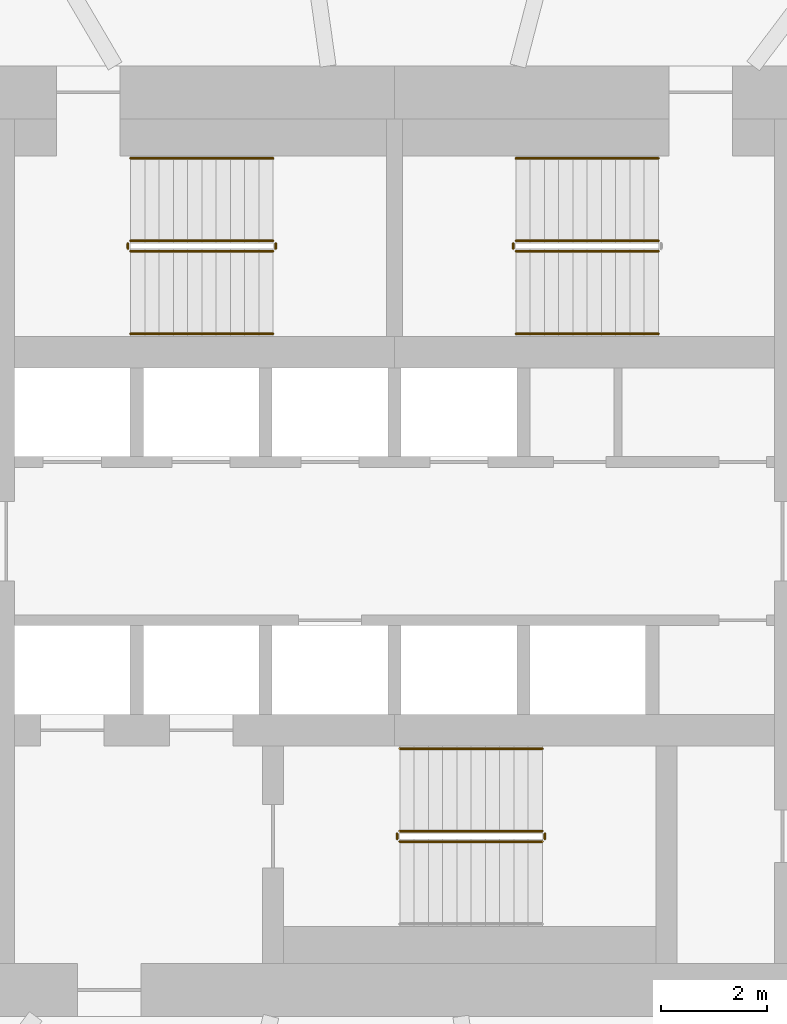
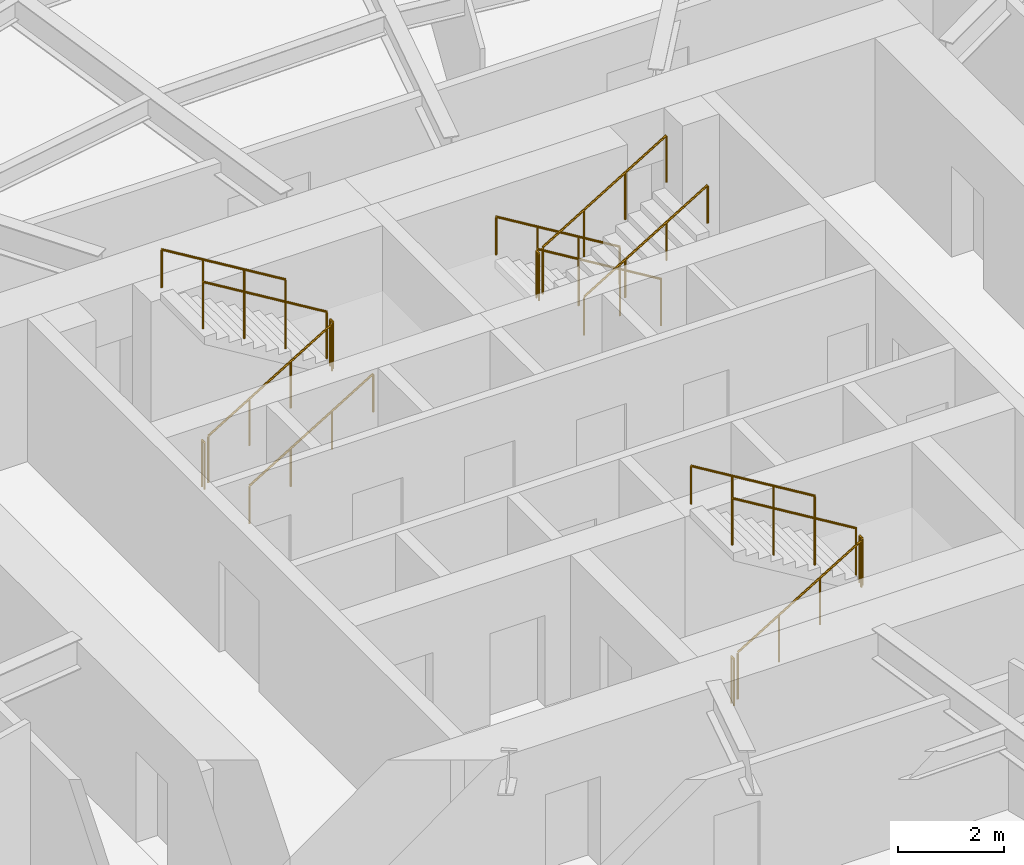
# One storey, part 13 of 17: 16 railings.
"""IFC4 building model written with IfcOpenShell, lengths in metres."""

from ifc_helpers import new_model, si_unit, direction, frame, origin, origin_2d, place, context, subcontext, project, spatial, circle, extrude, material, type_object, element, save


model = new_model("IFC4")

# Units and contexts
model_context = context("Model", 3, precision=1e-05, world=origin(), true_north=direction((0.0, 1.0)))
body_context = subcontext(model_context, "Body", "Model", "MODEL_VIEW")
ifc_project = project(units=[si_unit("LENGTHUNIT", "METRE"), si_unit("AREAUNIT", "SQUARE_METRE"), si_unit("VOLUMEUNIT", "CUBIC_METRE"), si_unit("PLANEANGLEUNIT", "RADIAN"), si_unit("MASSUNIT", "GRAM", prefix="KILO")], contexts=[model_context])

# Site, building, storey
site_placement = place(None, origin())
site = spatial("IfcSite", under=ifc_project, at=site_placement, CompositionType="ELEMENT")
building_placement = place(site_placement, origin())
building = spatial("IfcBuilding", under=site, at=building_placement, Name="Vermilion Reach Broadcast Tower", CompositionType="ELEMENT")
storey_placement = place(building_placement, frame((0.0, 0.0, 92.199951171875)))
storey = spatial("IfcBuildingStorey", under=building, at=storey_placement, Name="L20", CompositionType="ELEMENT", Elevation=92.199951171875)

# Railings
ifc_material_1 = material(Name="Stainless steel", Category="steel")
railing_type_1 = type_object("IfcRailingType", Name="Stair guard 1100", PredefinedType="GUARDRAIL", material=ifc_material_1)
railing_1_placement = place(storey_placement, frame((-11.0, 5.489990234375, 0.16357421875)))
element("IfcRailing", 1, at=railing_1_placement, inside=storey, type_object=railing_type_1, Name="L20 ST1 stair guard 1", PredefinedType="GUARDRAIL", context=body_context, shape_type="SweptSolid", body=[
    extrude(circle(Radius=0.02392578125, at=origin_2d()), frame((0.0, 0.0, 1.076171875), z_axis=(0.855178096276, 0.0, 0.518334277904), x_axis=(0.0, 1.0, 0.0)), (0.0, 0.0, 1.0), 3.1572265625),
    extrude(circle(Radius=0.02099609375, at=origin_2d()), origin(), (0.0, 0.0, 1.0), 1.052001953125),
    extrude(circle(Radius=0.02099609375, at=origin_2d()), frame((0.89990234375, 0.0, 0.54541015625)), (0.0, 0.0, 1.0), 1.052001953125),
    extrude(circle(Radius=0.02099609375, at=origin_2d()), frame((1.800048828125, 0.0, 1.091064453125)), (0.0, 0.0, 1.0), 1.052001953125),
    extrude(circle(Radius=0.02099609375, at=origin_2d()), frame((2.699951171875, 0.0, 1.636474609375)), (0.0, 0.0, 1.0), 1.052001953125),
])
railing_2_placement = place(storey_placement, frame((-8.25, 5.5400390625, 1.800048828125)))
element("IfcRailing", 2, at=railing_2_placement, inside=storey, type_object=railing_type_1, Name="L20 ST1 stair guard 2", PredefinedType="GUARDRAIL", context=body_context, shape_type="SweptSolid", body=[
    extrude(circle(Radius=0.02392578125, at=origin_2d()), frame((0.0, 0.0, 1.076171875), z_axis=(0.0, 1.0, 0.0), x_axis=(-1.0, 0.0, 0.0)), (0.0, 0.0, 1.0), 0.099853515625),
    extrude(circle(Radius=0.02099609375, at=origin_2d()), origin(), (0.0, 0.0, 1.0), 1.052001953125),
    extrude(circle(Radius=0.02099609375, at=origin_2d()), frame((0.0, 0.099853515625, 0.0)), (0.0, 0.0, 1.0), 1.052001953125),
])
railing_3_placement = place(storey_placement, frame((-8.300048828125, 5.68994140625, 1.963623046875)))
element("IfcRailing", 3, at=railing_3_placement, inside=storey, type_object=railing_type_1, Name="L20 ST1 stair guard 3", PredefinedType="GUARDRAIL", context=body_context, shape_type="SweptSolid", body=[
    extrude(circle(Radius=0.02392578125, at=origin_2d()), frame((0.0, 0.0, 1.076171875), z_axis=(-0.855178096276, 0.0, 0.518334277904), x_axis=(0.0, -1.0, 0.0)), (0.0, 0.0, 1.0), 3.1572265625),
    extrude(circle(Radius=0.02099609375, at=origin_2d()), origin(), (0.0, 0.0, 1.0), 1.052001953125),
    extrude(circle(Radius=0.02099609375, at=origin_2d()), frame((-0.89990234375, 0.0, 0.54541015625)), (0.0, 0.0, 1.0), 1.052001953125),
    extrude(circle(Radius=0.02099609375, at=origin_2d()), frame((-1.800048828125, 0.0, 1.091064453125)), (0.0, 0.0, 1.0), 1.052001953125),
    extrude(circle(Radius=0.02099609375, at=origin_2d()), frame((-2.699951171875, 0.0, 1.636474609375)), (0.0, 0.0, 1.0), 1.052001953125),
])
railing_4_placement = place(storey_placement, frame((-11.050048828125, 5.5400390625, 0.0)))
element("IfcRailing", 4, at=railing_4_placement, inside=storey, type_object=railing_type_1, Name="L20 ST1 stair guard 4", PredefinedType="GUARDRAIL", context=body_context, shape_type="SweptSolid", body=[
    extrude(circle(Radius=0.02392578125, at=origin_2d()), frame((0.0, 0.0, 1.076171875), z_axis=(0.0, 1.0, 0.0), x_axis=(-1.0, 0.0, 0.0)), (0.0, 0.0, 1.0), 0.099853515625),
    extrude(circle(Radius=0.02099609375, at=origin_2d()), origin(), (0.0, 0.0, 1.0), 1.052001953125),
    extrude(circle(Radius=0.02099609375, at=origin_2d()), frame((0.0, 0.099853515625, 0.0)), (0.0, 0.0, 1.0), 1.052001953125),
])
railing_5_placement = place(storey_placement, frame((-1.0, 5.68994140625, 0.16357421875)))
element("IfcRailing", 5, at=railing_5_placement, inside=storey, type_object=railing_type_1, Name="L20 ST2 stair guard 1", PredefinedType="GUARDRAIL", context=body_context, shape_type="SweptSolid", body=[
    extrude(circle(Radius=0.02392578125, at=origin_2d()), frame((0.0, 0.0, 1.076171875), z_axis=(-0.855178096276, 0.0, 0.518334277904), x_axis=(0.0, -1.0, 0.0)), (0.0, 0.0, 1.0), 3.1572265625),
    extrude(circle(Radius=0.02099609375, at=origin_2d()), origin(), (0.0, 0.0, 1.0), 1.052001953125),
    extrude(circle(Radius=0.02099609375, at=origin_2d()), frame((-0.89990234375, 0.0, 0.54541015625)), (0.0, 0.0, 1.0), 1.052001953125),
    extrude(circle(Radius=0.02099609375, at=origin_2d()), frame((-1.800048828125, 0.0, 1.091064453125)), (0.0, 0.0, 1.0), 1.052001953125),
    extrude(circle(Radius=0.02099609375, at=origin_2d()), frame((-2.699951171875, 0.0, 1.636474609375)), (0.0, 0.0, 1.0), 1.052001953125),
])
railing_6_placement = place(storey_placement, frame((-3.75, 5.639892578125, 1.800048828125)))
element("IfcRailing", 6, at=railing_6_placement, inside=storey, type_object=railing_type_1, Name="L20 ST2 stair guard 2", PredefinedType="GUARDRAIL", context=body_context, shape_type="SweptSolid", body=[
    extrude(circle(Radius=0.02392578125, at=origin_2d()), frame((0.0, 0.0, 1.076171875), z_axis=(0.0, -1.0, 0.0), x_axis=(1.0, 0.0, 0.0)), (0.0, 0.0, 1.0), 0.099853515625),
    extrude(circle(Radius=0.02099609375, at=origin_2d()), origin(), (0.0, 0.0, 1.0), 1.052001953125),
    extrude(circle(Radius=0.02099609375, at=origin_2d()), frame((0.0, -0.099853515625, 0.0)), (0.0, 0.0, 1.0), 1.052001953125),
])
for number, where, name in (
    (7, (-3.699951171875, 5.489990234375, 1.963623046875), "L20 ST2 stair guard 3"),
    (8, (-5.89990234375, -5.68994140625, 0.16357421875), "L20 ST3 stair guard 1"),
):
    element("IfcRailing", number, at=place(storey_placement, frame(where)), inside=storey, type_object=railing_type_1, Name=name, PredefinedType="GUARDRAIL", context=body_context, shape_type="SweptSolid", body=[
        extrude(circle(Radius=0.02392578125, at=origin_2d()), frame((0.0, 0.0, 1.076171875), z_axis=(0.855178096276, 0.0, 0.518334277904), x_axis=(0.0, 1.0, 0.0)), (0.0, 0.0, 1.0), 3.1572265625),
        extrude(circle(Radius=0.02099609375, at=origin_2d()), origin(), (0.0, 0.0, 1.0), 1.052001953125),
        extrude(circle(Radius=0.02099609375, at=origin_2d()), frame((0.89990234375, 0.0, 0.54541015625)), (0.0, 0.0, 1.0), 1.052001953125),
        extrude(circle(Radius=0.02099609375, at=origin_2d()), frame((1.800048828125, 0.0, 1.091064453125)), (0.0, 0.0, 1.0), 1.052001953125),
        extrude(circle(Radius=0.02099609375, at=origin_2d()), frame((2.699951171875, 0.0, 1.636474609375)), (0.0, 0.0, 1.0), 1.052001953125),
    ])
railing_7_placement = place(storey_placement, frame((-3.14990234375, -5.639892578125, 1.800048828125)))
element("IfcRailing", 9, at=railing_7_placement, inside=storey, type_object=railing_type_1, Name="L20 ST3 stair guard 2", PredefinedType="GUARDRAIL", context=body_context, shape_type="SweptSolid", body=[
    extrude(circle(Radius=0.02392578125, at=origin_2d()), frame((0.0, 0.0, 1.076171875), z_axis=(0.0, 1.0, 0.0), x_axis=(-1.0, 0.0, 0.0)), (0.0, 0.0, 1.0), 0.099853515625),
    extrude(circle(Radius=0.02099609375, at=origin_2d()), origin(), (0.0, 0.0, 1.0), 1.052001953125),
    extrude(circle(Radius=0.02099609375, at=origin_2d()), frame((0.0, 0.099853515625, 0.0)), (0.0, 0.0, 1.0), 1.052001953125),
])
railing_8_placement = place(storey_placement, frame((-3.199951171875, -5.489990234375, 1.963623046875)))
element("IfcRailing", 10, at=railing_8_placement, inside=storey, type_object=railing_type_1, Name="L20 ST3 stair guard 3", PredefinedType="GUARDRAIL", context=body_context, shape_type="SweptSolid", body=[
    extrude(circle(Radius=0.02392578125, at=origin_2d()), frame((0.0, 0.0, 1.076171875), z_axis=(-0.855178096276, 0.0, 0.518334277904), x_axis=(0.0, -1.0, 0.0)), (0.0, 0.0, 1.0), 3.1572265625),
    extrude(circle(Radius=0.02099609375, at=origin_2d()), origin(), (0.0, 0.0, 1.0), 1.052001953125),
    extrude(circle(Radius=0.02099609375, at=origin_2d()), frame((-0.89990234375, 0.0, 0.54541015625)), (0.0, 0.0, 1.0), 1.052001953125),
    extrude(circle(Radius=0.02099609375, at=origin_2d()), frame((-1.800048828125, 0.0, 1.091064453125)), (0.0, 0.0, 1.0), 1.052001953125),
    extrude(circle(Radius=0.02099609375, at=origin_2d()), frame((-2.699951171875, 0.0, 1.636474609375)), (0.0, 0.0, 1.0), 1.052001953125),
])
railing_9_placement = place(storey_placement, frame((-5.949951171875, -5.639892578125, 0.0)))
element("IfcRailing", 11, at=railing_9_placement, inside=storey, type_object=railing_type_1, Name="L20 ST3 stair guard 4", PredefinedType="GUARDRAIL", context=body_context, shape_type="SweptSolid", body=[
    extrude(circle(Radius=0.02392578125, at=origin_2d()), frame((0.0, 0.0, 1.076171875), z_axis=(0.0, 1.0, 0.0), x_axis=(-1.0, 0.0, 0.0)), (0.0, 0.0, 1.0), 0.099853515625),
    extrude(circle(Radius=0.02099609375, at=origin_2d()), origin(), (0.0, 0.0, 1.0), 1.052001953125),
    extrude(circle(Radius=0.02099609375, at=origin_2d()), frame((0.0, 0.099853515625, 0.0)), (0.0, 0.0, 1.0), 1.052001953125),
])
ifc_material_2 = material(Name="Stainless steel", Category="steel")
railing_type_2 = type_object("IfcRailingType", Name="Stair handrail", PredefinedType="HANDRAIL", material=ifc_material_2)
railing_10_placement = place(storey_placement, frame((-11.0, 3.929931640625, 0.16357421875)))
element("IfcRailing", 12, at=railing_10_placement, inside=storey, type_object=railing_type_2, Name="L20 ST1 stair handrail 1", PredefinedType="HANDRAIL", context=body_context, shape_type="SweptSolid", body=[
    extrude(circle(Radius=0.02392578125, at=origin_2d()), frame((0.0, 0.0, 0.8759765625), z_axis=(0.855178096276, 0.0, 0.518334277904), x_axis=(0.0, 1.0, 0.0)), (0.0, 0.0, 1.0), 3.1572265625),
    extrude(circle(Radius=0.02099609375, at=origin_2d()), origin(), (0.0, 0.0, 1.0), 0.851806640625),
    extrude(circle(Radius=0.02099609375, at=origin_2d()), frame((0.89990234375, 0.0, 0.54541015625)), (0.0, 0.0, 1.0), 0.851806640625),
    extrude(circle(Radius=0.02099609375, at=origin_2d()), frame((1.800048828125, 0.0, 1.091064453125)), (0.0, 0.0, 1.0), 0.851806640625),
    extrude(circle(Radius=0.02099609375, at=origin_2d()), frame((2.699951171875, 0.0, 1.636474609375)), (0.0, 0.0, 1.0), 0.851806640625),
])
for number, where, name in (
    (13, (-8.300048828125, 7.25, 1.963623046875), "L20 ST1 stair handrail 2"),
    (14, (-1.0, 7.25, 0.16357421875), "L20 ST2 stair handrail 1"),
):
    element("IfcRailing", number, at=place(storey_placement, frame(where)), inside=storey, type_object=railing_type_2, Name=name, PredefinedType="HANDRAIL", context=body_context, shape_type="SweptSolid", body=[
        extrude(circle(Radius=0.02392578125, at=origin_2d()), frame((0.0, 0.0, 0.8759765625), z_axis=(-0.855178096276, 0.0, 0.518334277904), x_axis=(0.0, -1.0, 0.0)), (0.0, 0.0, 1.0), 3.1572265625),
        extrude(circle(Radius=0.02099609375, at=origin_2d()), origin(), (0.0, 0.0, 1.0), 0.851806640625),
        extrude(circle(Radius=0.02099609375, at=origin_2d()), frame((-0.89990234375, 0.0, 0.54541015625)), (0.0, 0.0, 1.0), 0.851806640625),
        extrude(circle(Radius=0.02099609375, at=origin_2d()), frame((-1.800048828125, 0.0, 1.091064453125)), (0.0, 0.0, 1.0), 0.851806640625),
        extrude(circle(Radius=0.02099609375, at=origin_2d()), frame((-2.699951171875, 0.0, 1.636474609375)), (0.0, 0.0, 1.0), 0.851806640625),
    ])
railing_11_placement = place(storey_placement, frame((-3.699951171875, 3.929931640625, 1.963623046875)))
element("IfcRailing", 15, at=railing_11_placement, inside=storey, type_object=railing_type_2, Name="L20 ST2 stair handrail 2", PredefinedType="HANDRAIL", context=body_context, shape_type="SweptSolid", body=[
    extrude(circle(Radius=0.02392578125, at=origin_2d()), frame((0.0, 0.0, 0.8759765625), z_axis=(0.855178096276, 0.0, 0.518334277904), x_axis=(0.0, 1.0, 0.0)), (0.0, 0.0, 1.0), 3.1572265625),
    extrude(circle(Radius=0.02099609375, at=origin_2d()), origin(), (0.0, 0.0, 1.0), 0.851806640625),
    extrude(circle(Radius=0.02099609375, at=origin_2d()), frame((0.89990234375, 0.0, 0.54541015625)), (0.0, 0.0, 1.0), 0.851806640625),
    extrude(circle(Radius=0.02099609375, at=origin_2d()), frame((1.800048828125, 0.0, 1.091064453125)), (0.0, 0.0, 1.0), 0.851806640625),
    extrude(circle(Radius=0.02099609375, at=origin_2d()), frame((2.699951171875, 0.0, 1.636474609375)), (0.0, 0.0, 1.0), 0.851806640625),
])
railing_12_placement = place(storey_placement, frame((-3.199951171875, -3.929931640625, 1.963623046875)))
element("IfcRailing", 16, at=railing_12_placement, inside=storey, type_object=railing_type_2, Name="L20 ST3 stair handrail 2", PredefinedType="HANDRAIL", context=body_context, shape_type="SweptSolid", body=[
    extrude(circle(Radius=0.02392578125, at=origin_2d()), frame((0.0, 0.0, 0.8759765625), z_axis=(-0.855178096276, 0.0, 0.518334277904), x_axis=(0.0, -1.0, 0.0)), (0.0, 0.0, 1.0), 3.1572265625),
    extrude(circle(Radius=0.02099609375, at=origin_2d()), origin(), (0.0, 0.0, 1.0), 0.851806640625),
    extrude(circle(Radius=0.02099609375, at=origin_2d()), frame((-0.89990234375, 0.0, 0.54541015625)), (0.0, 0.0, 1.0), 0.851806640625),
    extrude(circle(Radius=0.02099609375, at=origin_2d()), frame((-1.800048828125, 0.0, 1.091064453125)), (0.0, 0.0, 1.0), 0.851806640625),
    extrude(circle(Radius=0.02099609375, at=origin_2d()), frame((-2.699951171875, 0.0, 1.636474609375)), (0.0, 0.0, 1.0), 0.851806640625),
])

save(model, "model.ifc")
